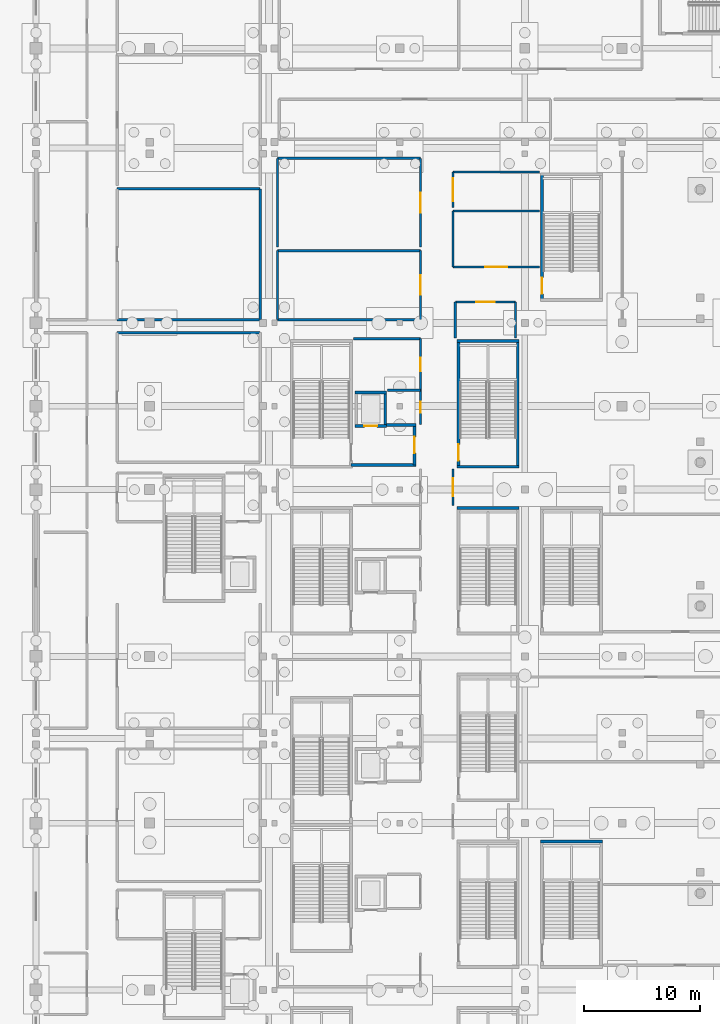
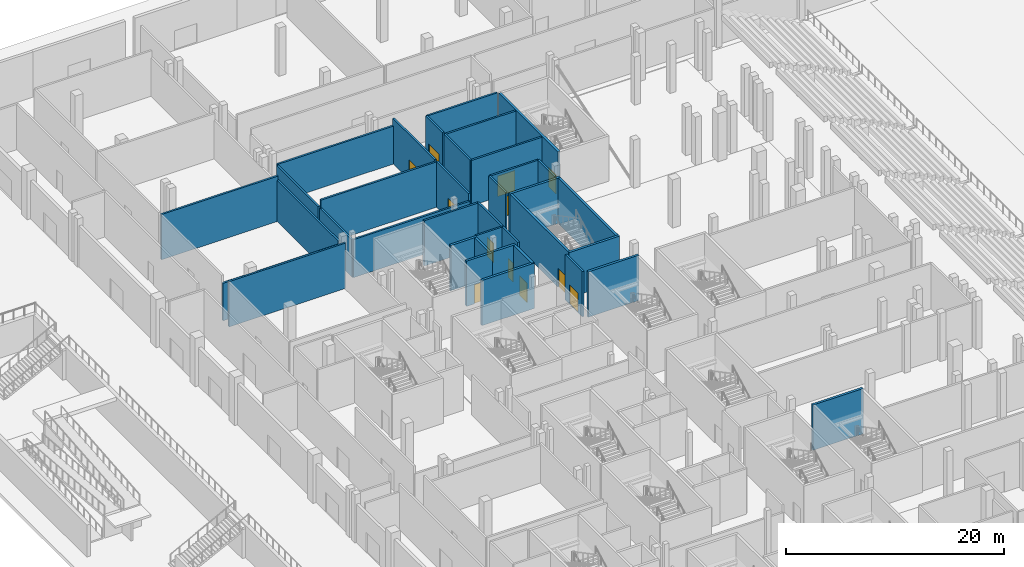
# One storey, part 38 of 89: 37 walls, 12 doors, 12 openings.
"""IFC4 building model written with IfcOpenShell, lengths in metres."""

from ifc_helpers import new_model, si_unit, direction, frame, frame_2d, origin, place, context, subcontext, project, spatial, rectangle, extrude, material, layer, layer_set, type_object, element, fill, save


model = new_model("IFC4")

# Units and contexts
model_context = context("Model", 3, precision=1e-05, world=origin(), true_north=direction((0.0, 1.0)))
body_context = subcontext(model_context, "Body", "Model", "MODEL_VIEW")
ifc_project = project(units=[si_unit("LENGTHUNIT", "METRE"), si_unit("AREAUNIT", "SQUARE_METRE"), si_unit("VOLUMEUNIT", "CUBIC_METRE"), si_unit("PLANEANGLEUNIT", "RADIAN"), si_unit("MASSUNIT", "GRAM", prefix="KILO")], contexts=[model_context])

# Site, building, storey
site_placement = place(None, origin())
site = spatial("IfcSite", under=ifc_project, at=site_placement, CompositionType="ELEMENT")
building_placement = place(site_placement, origin())
building = spatial("IfcBuilding", under=site, at=building_placement, Name="Koshinbarg Plaza Stadium", CompositionType="ELEMENT")
storey_placement = place(building_placement, origin())
storey = spatial("IfcBuildingStorey", under=building, at=storey_placement, Name="L00", CompositionType="ELEMENT", Elevation=0.0)

# Walls
ifc_material_1 = material(Name="Concrete C40/50", Category="concrete")
ifc_layer_1 = layer(ifc_material_1, 0.25)
ifc_layer_set_1 = layer_set([ifc_layer_1], Name="Concrete C40/50")
wall_type_1 = type_object("IfcWallType", Name="WL-CORE-250", PredefinedType="SHEAR", material=ifc_layer_set_1)
for number, where, z_axis, x_axis, name in (
    (1, (45.719970703125, 95.925048828125, 0.0), (0.0, 0.0, 1.0), (-1.0, 0.0, 0.0), "L00 vomitory stair shear wall VX05-far IWL-L00-0419"),
    (2, (40.35009765625, 99.47509765625, 0.0), (0.0, 0.0, 1.0), (1.0, 0.0, 0.0), "L00 vomitory stair shear wall VX06-near IWL-L00-0434"),
    (3, (45.719970703125, 110.324951171875, 0.0), (0.0, 0.0, 1.0), (-1.0, 0.0, 0.0), "L00 vomitory stair shear wall VX06-far IWL-L00-0435"),
):
    element("IfcWall", number, at=place(storey_placement, frame(where, z_axis=z_axis, x_axis=x_axis)), inside=storey, type_object=wall_type_1, Name=name, PredefinedType="SHEAR", context=body_context, shape_type="SweptSolid", body=[
        extrude(rectangle(XDim=5.369873046875, YDim=0.25, at=frame_2d((2.68505859375, 0.0))), origin(), (0.0, 0.0, 1.0), 5.080078125),
    ])

# Wall, opening, door
wall_1_placement = place(storey_placement, frame((40.47509765625, 99.47509765625, 0.0), z_axis=(0.0, 0.0, 1.0), x_axis=(0.0, 1.0, 0.0)))
wall_1 = element("IfcWall", 4, at=wall_1_placement, inside=storey, type_object=wall_type_1, Name="L00 vomitory stair shear wall VX06-left IWL-L00-0436", PredefinedType="SHEAR", context=body_context, shape_type="SweptSolid", body=[
    extrude(rectangle(XDim=10.849853515625, YDim=0.25, at=frame_2d((5.4248046875, 0.0))), origin(), (0.0, 0.0, 1.0), 5.080078125),
])
opening_1_placement = place(wall_1_placement, frame((0.52001953125, 0.0, 0.0)))
opening_1 = element("IfcOpeningElement", 5, at=opening_1_placement, cuts=wall_1, Name="Opening D-0171", PredefinedType="OPENING", context=body_context, shape_type="SweptSolid", body=[
    extrude(rectangle(XDim=1.39990234375, YDim=2.14990234375, at=frame_2d((0.699951171875, 1.074951171875))), frame((0.0, 0.135009765625, 0.0), z_axis=(0.0, -1.0, 0.0), x_axis=(1.0, 0.0, 0.0)), (0.0, 0.0, 1.0), 0.27001953125),
])
ifc_material_2 = material(Name="Painted galvanized steel fire door", Category="steel")
door_type_1 = type_object("IfcDoorType", Name="DR-STAIR-1400", OperationType="NOTDEFINED", PredefinedType="DOOR", material=ifc_material_2)
door_1_placement = place(opening_1_placement, origin())
door_1 = element("IfcDoor", 6, at=door_1_placement, inside=storey, type_object=door_type_1, Name="L00 vomitory exit stair door VX06", OperationType="SINGLE_SWING_LEFT", OverallHeight=2.14990234375, OverallWidth=1.39990234375, PredefinedType="DOOR", context=body_context, shape_type="SweptSolid", body=[
    extrude(rectangle(XDim=1.39990234375, YDim=2.14990234375, at=frame_2d((0.699951171875, 1.074951171875))), frame((0.0, 0.02490234375, 0.0), z_axis=(0.0, -1.0, 0.0), x_axis=(1.0, 0.0, 0.0)), (0.0, 0.0, 1.0), 0.050048828125),
])
fill(opening_1, door_1)

# Walls
wall_2_placement = place(storey_placement, frame((45.594970703125, 99.47509765625, 0.0), z_axis=(0.0, 0.0, 1.0), x_axis=(0.0, 1.0, 0.0)))
element("IfcWall", 7, at=wall_2_placement, inside=storey, type_object=wall_type_1, Name="L00 vomitory stair shear wall VX06-right IWL-L00-0437", PredefinedType="SHEAR", context=body_context, shape_type="SweptSolid", body=[
    extrude(rectangle(XDim=10.849853515625, YDim=0.25, at=frame_2d((5.4248046875, 0.0))), origin(), (0.0, 0.0, 1.0), 5.080078125),
])
wall_3_placement = place(storey_placement, frame((52.919921875, 67.125, 0.0), z_axis=(0.0, 0.0, 1.0), x_axis=(-1.0, 0.0, 0.0)))
element("IfcWall", 8, at=wall_3_placement, inside=storey, type_object=wall_type_1, Name="L00 vomitory stair shear wall VL02-far IWL-L00-0555", PredefinedType="SHEAR", context=body_context, shape_type="SweptSolid", body=[
    extrude(rectangle(XDim=5.369873046875, YDim=0.25, at=frame_2d((2.68505859375, 0.0))), origin(), (0.0, 0.0, 1.0), 5.080078125),
])

# Wall, opening, door
wall_4_placement = place(storey_placement, frame((47.675048828125, 113.875, 0.0), z_axis=(0.0, 0.0, 1.0), x_axis=(0.0, 1.0, 0.0)))
wall_4 = element("IfcWall", 9, at=wall_4_placement, inside=storey, type_object=wall_type_1, Name="L00 vomitory stair shear wall VL04-left IWL-L00-0572", PredefinedType="SHEAR", context=body_context, shape_type="SweptSolid", body=[
    extrude(rectangle(XDim=10.85009765625, YDim=0.25, at=frame_2d((5.425048828125, 0.0))), origin(), (0.0, 0.0, 1.0), 5.080078125),
])
opening_2_placement = place(wall_4_placement, frame((0.52001953125, 0.0, 0.0)))
opening_2 = element("IfcOpeningElement", 10, at=opening_2_placement, cuts=wall_4, Name="Opening D-0205", PredefinedType="OPENING", context=body_context, shape_type="SweptSolid", body=[
    extrude(rectangle(XDim=1.39990234375, YDim=2.14990234375, at=frame_2d((0.699951171875, 1.074951171875))), frame((0.0, 0.135009765625, 0.0), z_axis=(0.0, -1.0, 0.0), x_axis=(1.0, 0.0, 0.0)), (0.0, 0.0, 1.0), 0.27001953125),
])
door_2_placement = place(opening_2_placement, origin())
door_2 = element("IfcDoor", 11, at=door_2_placement, inside=storey, type_object=door_type_1, Name="L00 vomitory exit stair door VL04", OperationType="SINGLE_SWING_LEFT", OverallHeight=2.14990234375, OverallWidth=1.39990234375, PredefinedType="DOOR", context=body_context, shape_type="SweptSolid", body=[
    extrude(rectangle(XDim=1.39990234375, YDim=2.14990234375, at=frame_2d((0.699951171875, 1.074951171875))), frame((0.0, 0.02490234375, 0.0), z_axis=(0.0, -1.0, 0.0), x_axis=(1.0, 0.0, 0.0)), (0.0, 0.0, 1.0), 0.050048828125),
])
fill(opening_2, door_2)

wall_5_placement = place(storey_placement, frame((31.52490234375, 103.0, 0.0), z_axis=(0.0, 0.0, 1.0), x_axis=(1.0, 0.0, 0.0)))
wall_5 = element("IfcWall", 12, at=wall_5_placement, inside=storey, type_object=wall_type_1, Name="L00 lift shaft shear wall FL04-S IWL-L00-0813", PredefinedType="SHEAR", context=body_context, shape_type="SweptSolid", body=[
    extrude(rectangle(XDim=2.75, YDim=0.25, at=frame_2d((1.375, 0.0))), origin(), (0.0, 0.0, 1.0), 5.080078125),
])
opening_3_placement = place(wall_5_placement, frame((0.824951171875, 0.0, 0.0)))
opening_3 = element("IfcOpeningElement", 13, at=opening_3_placement, cuts=wall_5, Name="Opening D-0271", PredefinedType="OPENING", context=body_context, shape_type="SweptSolid", body=[
    extrude(rectangle(XDim=1.10009765625, YDim=2.14990234375, at=frame_2d((0.550048828125, 1.074951171875))), frame((0.0, 0.135009765625, 0.0), z_axis=(0.0, -1.0, 0.0), x_axis=(1.0, 0.0, 0.0)), (0.0, 0.0, 1.0), 0.27001953125),
])
ifc_material_3 = material(Name="Brushed stainless steel sliding lift landing door", Category="steel")
door_type_2 = type_object("IfcDoorType", Name="DR-LIFT-1100", OperationType="NOTDEFINED", PredefinedType="DOOR", material=ifc_material_3)
door_3_placement = place(opening_3_placement, origin())
door_3 = element("IfcDoor", 14, at=door_3_placement, inside=storey, type_object=door_type_2, Name="L00 lift landing door FL04", OperationType="SLIDING_TO_LEFT", OverallHeight=2.14990234375, OverallWidth=1.10009765625, PredefinedType="DOOR", context=body_context, shape_type="SweptSolid", body=[
    extrude(rectangle(XDim=1.10009765625, YDim=2.14990234375, at=frame_2d((0.550048828125, 1.074951171875))), frame((0.0, 0.02490234375, 0.0), z_axis=(0.0, -1.0, 0.0), x_axis=(1.0, 0.0, 0.0)), (0.0, 0.0, 1.0), 0.050048828125),
])
fill(opening_3, door_3)

# Walls
wall_6_placement = place(storey_placement, frame((34.27490234375, 105.89990234375, 0.0), z_axis=(0.0, 0.0, 1.0), x_axis=(-1.0, 0.0, 0.0)))
element("IfcWall", 15, at=wall_6_placement, inside=storey, type_object=wall_type_1, Name="L00 lift shaft shear wall FL04-N IWL-L00-0814", PredefinedType="SHEAR", context=body_context, shape_type="SweptSolid", body=[
    extrude(rectangle(XDim=2.75, YDim=0.25, at=frame_2d((1.375, 0.0))), origin(), (0.0, 0.0, 1.0), 5.080078125),
])
wall_7_placement = place(storey_placement, frame((34.14990234375, 103.0, 0.0), z_axis=(0.0, 0.0, 1.0), x_axis=(0.0, 1.0, 0.0)))
element("IfcWall", 16, at=wall_7_placement, inside=storey, type_object=wall_type_1, Name="L00 lift shaft shear wall FL04-E IWL-L00-0816", PredefinedType="SHEAR", context=body_context, shape_type="SweptSolid", body=[
    extrude(rectangle(XDim=2.89990234375, YDim=0.25, at=frame_2d((1.449951171875, 0.0))), origin(), (0.0, 0.0, 1.0), 5.080078125),
])

# Wall, opening, door
wall_8_placement = place(storey_placement, frame((36.675048828125, 99.625, 0.0), z_axis=(0.0, 0.0, 1.0), x_axis=(0.0, 1.0, 0.0)))
wall_8 = element("IfcWall", 17, at=wall_8_placement, inside=storey, type_object=wall_type_1, Name="L00 firefighting lobby wall C06-E IWL-L00-0817", PredefinedType="SHEAR", context=body_context, shape_type="SweptSolid", body=[
    extrude(rectangle(XDim=3.449951171875, YDim=0.25, at=frame_2d((1.72509765625, 0.0))), origin(), (0.0, 0.0, 1.0), 5.080078125),
])
opening_4_placement = place(wall_8_placement, frame((1.02490234375, 0.0, 0.0)))
opening_4 = element("IfcOpeningElement", 18, at=opening_4_placement, cuts=wall_8, Name="Opening D-0272", PredefinedType="OPENING", context=body_context, shape_type="SweptSolid", body=[
    extrude(rectangle(XDim=1.39990234375, YDim=2.14990234375, at=frame_2d((0.699951171875, 1.074951171875))), frame((0.0, 0.135009765625, 0.0), z_axis=(0.0, -1.0, 0.0), x_axis=(1.0, 0.0, 0.0)), (0.0, 0.0, 1.0), 0.27001953125),
])
ifc_material_4 = material(Name="Smoke-sealed steel firefighting lobby door", Category="steel")
door_type_3 = type_object("IfcDoorType", Name="DR-FFLOB-1400", OperationType="NOTDEFINED", PredefinedType="DOOR", material=ifc_material_4)
door_4_placement = place(opening_4_placement, origin())
door_4 = element("IfcDoor", 19, at=door_4_placement, inside=storey, type_object=door_type_3, Name="L00 firefighting lobby fire door C06", OperationType="DOUBLE_DOOR_SINGLE_SWING", OverallHeight=2.14990234375, OverallWidth=1.39990234375, PredefinedType="DOOR", context=body_context, shape_type="SweptSolid", body=[
    extrude(rectangle(XDim=1.39990234375, YDim=2.14990234375, at=frame_2d((0.699951171875, 1.074951171875))), frame((0.0, 0.02490234375, 0.0), z_axis=(0.0, -1.0, 0.0), x_axis=(1.0, 0.0, 0.0)), (0.0, 0.0, 1.0), 0.050048828125),
])
fill(opening_4, door_4)

# Walls
wall_9_placement = place(storey_placement, frame((34.27490234375, 103.074951171875, 0.0), z_axis=(0.0, 0.0, 1.0), x_axis=(1.0, 0.0, 0.0)))
element("IfcWall", 20, at=wall_9_placement, inside=storey, type_object=wall_type_1, Name="L00 firefighting lobby wall C06-NE IWL-L00-0818", PredefinedType="SHEAR", context=body_context, shape_type="SweptSolid", body=[
    extrude(rectangle(XDim=2.525146484375, YDim=0.25, at=frame_2d((1.2626953125, 0.0))), origin(), (0.0, 0.0, 1.0), 5.080078125),
])
wall_10_placement = place(storey_placement, frame((31.199951171875, 99.625, 0.0), z_axis=(0.0, 0.0, 1.0), x_axis=(1.0, 0.0, 0.0)))
element("IfcWall", 21, at=wall_10_placement, inside=storey, type_object=wall_type_1, Name="L00 firefighting lobby wall C06-S IWL-L00-0819", PredefinedType="SHEAR", context=body_context, shape_type="SweptSolid", body=[
    extrude(rectangle(XDim=5.60009765625, YDim=0.25, at=frame_2d((2.800048828125, 0.0))), origin(), (0.0, 0.0, 1.0), 5.080078125),
])
ifc_material_5 = material(Name="Autoclaved aerated blockwork fire partition", Category="masonry")
ifc_layer_2 = layer(ifc_material_5, 0.199951171875)
ifc_layer_set_2 = layer_set([ifc_layer_2], Name="Autoclaved aerated blockwork fire partition")
wall_type_2 = type_object("IfcWallType", Name="WL-PART-200", PredefinedType="PARTITIONING", material=ifc_layer_set_2)
wall_11_placement = place(storey_placement, frame((45.39990234375, 110.60009765625, 0.0), z_axis=(0.0, 0.0, 1.0), x_axis=(0.0, 1.0, 0.0)))
element("IfcWall", 22, at=wall_11_placement, inside=storey, type_object=wall_type_2, Name="L00 interior partition L00-66-east IWL-L00-1053", PredefinedType="PARTITIONING", context=body_context, shape_type="SweptSolid", body=[
    extrude(rectangle(XDim=3.099853515625, YDim=0.199951171875, at=frame_2d((1.5498046875, 0.0))), origin(), (0.0, 0.0, 1.0), 5.080078125),
])

# Wall, opening, door
wall_12_placement = place(storey_placement, frame((45.39990234375, 113.699951171875, 0.0), z_axis=(0.0, 0.0, 1.0), x_axis=(-1.0, 0.0, 0.0)))
wall_12 = element("IfcWall", 23, at=wall_12_placement, inside=storey, type_object=wall_type_2, Name="L00 interior partition L00-66-north IWL-L00-1054", PredefinedType="PARTITIONING", context=body_context, shape_type="SweptSolid", body=[
    extrude(rectangle(XDim=5.199951171875, YDim=0.199951171875, at=frame_2d((2.60009765625, 0.0))), origin(), (0.0, 0.0, 1.0), 5.080078125),
])
opening_5_placement = place(wall_12_placement, frame((1.800048828125, 0.0, 0.0)))
opening_5 = element("IfcOpeningElement", 24, at=opening_5_placement, cuts=wall_12, Name="Opening D-0335", PredefinedType="OPENING", context=body_context, shape_type="SweptSolid", body=[
    extrude(rectangle(XDim=1.60009765625, YDim=2.199951171875, at=frame_2d((0.800048828125, 1.10009765625))), frame((0.0, 0.10986328125, 0.0), z_axis=(0.0, -1.0, 0.0), x_axis=(1.0, 0.0, 0.0)), (0.0, 0.0, 1.0), 0.219970703125),
])
ifc_material_6 = material(Name="Double acoustic steel plant fire door", Category="steel")
door_type_4 = type_object("IfcDoorType", Name="DR-PLANT-1600", OperationType="NOTDEFINED", PredefinedType="DOOR", material=ifc_material_6)
door_5_placement = place(opening_5_placement, origin())
door_5 = element("IfcDoor", 25, at=door_5_placement, inside=storey, type_object=door_type_4, Name="L00 Chiller and Heating Plant door D-0335", OperationType="DOUBLE_DOOR_SINGLE_SWING", OverallHeight=2.199951171875, OverallWidth=1.60009765625, PredefinedType="DOOR", context=body_context, shape_type="SweptSolid", body=[
    extrude(rectangle(XDim=1.60009765625, YDim=2.199951171875, at=frame_2d((0.800048828125, 1.10009765625))), frame((0.0, 0.02490234375, 0.0), z_axis=(0.0, -1.0, 0.0), x_axis=(1.0, 0.0, 0.0)), (0.0, 0.0, 1.0), 0.050048828125),
])
fill(opening_5, door_5)

# Wall
wall_13_placement = place(storey_placement, frame((40.199951171875, 113.699951171875, 0.0), z_axis=(0.0, 0.0, 1.0), x_axis=(0.0, -1.0, 0.0)))
element("IfcWall", 26, at=wall_13_placement, inside=storey, type_object=wall_type_2, Name="L00 interior partition L00-66-west IWL-L00-1055", PredefinedType="PARTITIONING", context=body_context, shape_type="SweptSolid", body=[
    extrude(rectangle(XDim=3.099853515625, YDim=0.199951171875, at=frame_2d((1.5498046875, 0.0))), origin(), (0.0, 0.0, 1.0), 5.080078125),
])

# Wall, opening, door
wall_14_placement = place(storey_placement, frame((37.199951171875, 106.080078125, 0.0), z_axis=(0.0, 0.0, 1.0), x_axis=(0.0, 1.0, 0.0)))
wall_14 = element("IfcWall", 27, at=wall_14_placement, inside=storey, type_object=wall_type_2, Name="L00 interior partition L00-87-east IWL-L00-1108", PredefinedType="PARTITIONING", context=body_context, shape_type="SweptSolid", body=[
    extrude(rectangle(XDim=4.449951171875, YDim=0.199951171875, at=frame_2d((2.22509765625, 0.0))), origin(), (0.0, 0.0, 1.0), 5.080078125),
])
opening_6_placement = place(wall_14_placement, frame((1.625, 0.0, 0.0)))
opening_6 = element("IfcOpeningElement", 28, at=opening_6_placement, cuts=wall_14, Name="Opening D-0356", PredefinedType="OPENING", context=body_context, shape_type="SweptSolid", body=[
    extrude(rectangle(XDim=1.199951171875, YDim=2.14990234375, at=frame_2d((0.60009765625, 1.074951171875))), frame((0.0, 0.10986328125, 0.0), z_axis=(0.0, -1.0, 0.0), x_axis=(1.0, 0.0, 0.0)), (0.0, 0.0, 1.0), 0.219970703125),
])
ifc_material_7 = material(Name="Solid-core hardwood leaf in painted steel frame", Category="steel")
door_type_5 = type_object("IfcDoorType", Name="DR-INT-1200x2150", OperationType="NOTDEFINED", PredefinedType="DOOR", material=ifc_material_7)
door_6_placement = place(opening_6_placement, origin())
door_6 = element("IfcDoor", 29, at=door_6_placement, inside=storey, type_object=door_type_5, Name="L00 Main Entrance Concourse door D-0356", OperationType="SINGLE_SWING_RIGHT", OverallHeight=2.14990234375, OverallWidth=1.199951171875, PredefinedType="DOOR", context=body_context, shape_type="SweptSolid", body=[
    extrude(rectangle(XDim=1.199951171875, YDim=2.14990234375, at=frame_2d((0.60009765625, 1.074951171875))), frame((0.0, 0.02490234375, 0.0), z_axis=(0.0, -1.0, 0.0), x_axis=(1.0, 0.0, 0.0)), (0.0, 0.0, 1.0), 0.050048828125),
])
fill(opening_6, door_6)

# Wall
wall_15_placement = place(storey_placement, frame((37.199951171875, 110.530029296875, 0.0), z_axis=(0.0, 0.0, 1.0), x_axis=(-1.0, 0.0, 0.0)))
element("IfcWall", 30, at=wall_15_placement, inside=storey, type_object=wall_type_2, Name="L00 interior partition L00-87-north IWL-L00-1109", PredefinedType="PARTITIONING", context=body_context, shape_type="SweptSolid", body=[
    extrude(rectangle(XDim=5.800048828125, YDim=0.199951171875, at=frame_2d((2.89990234375, 0.0))), origin(), (0.0, 0.0, 1.0), 5.080078125),
])

# Wall, opening, door
wall_16_placement = place(storey_placement, frame((37.199951171875, 103.1298828125, 0.0), z_axis=(0.0, 0.0, 1.0), x_axis=(0.0, 1.0, 0.0)))
wall_16 = element("IfcWall", 31, at=wall_16_placement, inside=storey, type_object=wall_type_2, Name="L00 interior partition L00-88-east IWL-L00-1110", PredefinedType="PARTITIONING", context=body_context, shape_type="SweptSolid", body=[
    extrude(rectangle(XDim=2.9501953125, YDim=0.199951171875, at=frame_2d((1.47509765625, 0.0))), origin(), (0.0, 0.0, 1.0), 5.080078125),
])
opening_7_placement = place(wall_16_placement, frame((1.014892578125, 0.0, 0.0)))
opening_7 = element("IfcOpeningElement", 32, at=opening_7_placement, cuts=wall_16, Name="Opening D-0357", PredefinedType="OPENING", context=body_context, shape_type="SweptSolid", body=[
    extrude(rectangle(XDim=0.919921875, YDim=2.10009765625, at=frame_2d((0.4599609375, 1.050048828125))), frame((0.0, 0.10986328125, 0.0), z_axis=(0.0, -1.0, 0.0), x_axis=(1.0, 0.0, 0.0)), (0.0, 0.0, 1.0), 0.219970703125),
])
ifc_material_8 = material(Name="Solid-core oak veneer acoustic door")
door_type_6 = type_object("IfcDoorType", Name="DR-INT-0920x2100", OperationType="NOTDEFINED", PredefinedType="DOOR", material=ifc_material_8)
door_7_placement = place(opening_7_placement, origin())
door_7 = element("IfcDoor", 33, at=door_7_placement, inside=storey, type_object=door_type_6, Name="L00 VIP Reception Foyer door D-0357", OperationType="SINGLE_SWING_LEFT", OverallHeight=2.10009765625, OverallWidth=0.919921875, PredefinedType="DOOR", context=body_context, shape_type="SweptSolid", body=[
    extrude(rectangle(XDim=0.919921875, YDim=2.10009765625, at=frame_2d((0.4599609375, 1.050048828125))), frame((0.0, 0.02490234375, 0.0), z_axis=(0.0, -1.0, 0.0), x_axis=(1.0, 0.0, 0.0)), (0.0, 0.0, 1.0), 0.050048828125),
])
fill(opening_7, door_7)

# Wall
wall_17_placement = place(storey_placement, frame((37.199951171875, 106.080078125, 0.0), z_axis=(0.0, 0.0, 1.0), x_axis=(-1.0, 0.0, 0.0)))
element("IfcWall", 34, at=wall_17_placement, inside=storey, type_object=wall_type_2, Name="L00 interior partition L00-88-north IWL-L00-1111", PredefinedType="PARTITIONING", context=body_context, shape_type="SweptSolid", body=[
    extrude(rectangle(XDim=2.869873046875, YDim=0.199951171875, at=frame_2d((1.43505859375, 0.0))), origin(), (0.0, 0.0, 1.0), 5.080078125),
])

# Wall, opening, door
wall_18_placement = place(storey_placement, frame((40.0, 99.27001953125, 0.0), z_axis=(0.0, 0.0, 1.0), x_axis=(0.0, -1.0, 0.0)))
wall_18 = element("IfcWall", 35, at=wall_18_placement, inside=storey, type_object=wall_type_2, Name="L00 interior partition L00-90-west IWL-L00-1116", PredefinedType="PARTITIONING", context=body_context, shape_type="SweptSolid", body=[
    extrude(rectangle(XDim=3.14013671875, YDim=0.199951171875, at=frame_2d((1.570068359375, 0.0))), origin(), (0.0, 0.0, 1.0), 5.080078125),
])
opening_8_placement = place(wall_18_placement, frame((0.794921875, 0.0, 0.0)))
opening_8 = element("IfcOpeningElement", 36, at=opening_8_placement, cuts=wall_18, Name="Opening D-0359", PredefinedType="OPENING", context=body_context, shape_type="SweptSolid", body=[
    extrude(rectangle(XDim=1.550048828125, YDim=2.199951171875, at=frame_2d((0.77490234375, 1.10009765625))), frame((0.0, 0.10986328125, 0.0), z_axis=(0.0, -1.0, 0.0), x_axis=(1.0, 0.0, 0.0)), (0.0, 0.0, 1.0), 0.219970703125),
])
ifc_material_9 = material(Name="Toughened laminated glass in aluminium frame", Category="aluminium")
door_type_7 = type_object("IfcDoorType", Name="DR-INT-1550x2200", OperationType="NOTDEFINED", PredefinedType="DOOR", material=ifc_material_9)
door_8_placement = place(opening_8_placement, origin())
door_8 = element("IfcDoor", 37, at=door_8_placement, inside=storey, type_object=door_type_7, Name="L00 Main Entrance Concourse door D-0359", OperationType="DOUBLE_DOOR_SINGLE_SWING", OverallHeight=2.199951171875, OverallWidth=1.550048828125, PredefinedType="DOOR", context=body_context, shape_type="SweptSolid", body=[
    extrude(rectangle(XDim=1.550048828125, YDim=2.199951171875, at=frame_2d((0.77490234375, 1.10009765625))), frame((0.0, 0.02490234375, 0.0), z_axis=(0.0, -1.0, 0.0), x_axis=(1.0, 0.0, 0.0)), (0.0, 0.0, 1.0), 0.050048828125),
])
fill(opening_8, door_8)

# Wall
wall_19_placement = place(storey_placement, frame((24.844970703125, 112.169921875, 0.0), z_axis=(0.0, 0.0, 1.0), x_axis=(1.0, 0.0, 0.0)))
element("IfcWall", 38, at=wall_19_placement, inside=storey, type_object=wall_type_2, Name="L00 interior partition L00-91-south IWL-L00-1117", PredefinedType="PARTITIONING", context=body_context, shape_type="SweptSolid", body=[
    extrude(rectangle(XDim=12.35498046875, YDim=0.199951171875, at=frame_2d((6.177490234375, 0.0))), origin(), (0.0, 0.0, 1.0), 4.260009765625),
])

# Wall, opening, door
wall_20_placement = place(storey_placement, frame((37.199951171875, 112.169921875, 0.0), z_axis=(0.0, 0.0, 1.0), x_axis=(0.0, 1.0, 0.0)))
wall_20 = element("IfcWall", 39, at=wall_20_placement, inside=storey, type_object=wall_type_2, Name="L00 interior partition L00-91-east IWL-L00-1118", PredefinedType="PARTITIONING", context=body_context, shape_type="SweptSolid", body=[
    extrude(rectangle(XDim=5.96337890625, YDim=0.199951171875, at=frame_2d((2.981689453125, 0.0))), origin(), (0.0, 0.0, 1.0), 5.080078125),
])
opening_9_placement = place(wall_20_placement, frame((2.1416015625, 0.0, 0.0)))
opening_9 = element("IfcOpeningElement", 40, at=opening_9_placement, cuts=wall_20, Name="Opening D-0360", PredefinedType="OPENING", context=body_context, shape_type="SweptSolid", body=[
    extrude(rectangle(XDim=1.679931640625, YDim=2.25, at=frame_2d((0.83984375, 1.125))), frame((0.0, 0.10986328125, 0.0), z_axis=(0.0, -1.0, 0.0), x_axis=(1.0, 0.0, 0.0)), (0.0, 0.0, 1.0), 0.219970703125),
])
ifc_material_10 = material(Name="Powder-coated aluminium double glazed door", Category="aluminium")
door_type_8 = type_object("IfcDoorType", Name="DR-INT-1680x2250", OperationType="NOTDEFINED", PredefinedType="DOOR", material=ifc_material_10)
door_9_placement = place(opening_9_placement, origin())
door_9 = element("IfcDoor", 41, at=door_9_placement, inside=storey, type_object=door_type_8, Name="L00 Main Entrance Concourse door D-0360", OperationType="DOUBLE_DOOR_SINGLE_SWING", OverallHeight=2.25, OverallWidth=1.679931640625, PredefinedType="DOOR", context=body_context, shape_type="SweptSolid", body=[
    extrude(rectangle(XDim=1.679931640625, YDim=2.25, at=frame_2d((0.83984375, 1.125))), frame((0.0, 0.02490234375, 0.0), z_axis=(0.0, -1.0, 0.0), x_axis=(1.0, 0.0, 0.0)), (0.0, 0.0, 1.0), 0.050048828125),
])
fill(opening_9, door_9)

# Walls
wall_21_placement = place(storey_placement, frame((37.199951171875, 118.13330078125, 0.0), z_axis=(0.0, 0.0, 1.0), x_axis=(-1.0, 0.0, 0.0)))
element("IfcWall", 42, at=wall_21_placement, inside=storey, type_object=wall_type_2, Name="L00 interior partition L00-91-north IWL-L00-1119", PredefinedType="PARTITIONING", context=body_context, shape_type="SweptSolid", body=[
    extrude(rectangle(XDim=12.35498046875, YDim=0.199951171875, at=frame_2d((6.177490234375, 0.0))), origin(), (0.0, 0.0, 1.0), 5.080078125),
])
wall_22_placement = place(storey_placement, frame((24.844970703125, 118.13330078125, 0.0), z_axis=(0.0, 0.0, 1.0), x_axis=(0.0, -1.0, 0.0)))
element("IfcWall", 43, at=wall_22_placement, inside=storey, type_object=wall_type_2, Name="L00 interior partition L00-91-west IWL-L00-1120", PredefinedType="PARTITIONING", context=body_context, shape_type="SweptSolid", body=[
    extrude(rectangle(XDim=5.96337890625, YDim=0.199951171875, at=frame_2d((2.981689453125, 0.0))), origin(), (0.0, 0.0, 1.0), 4.159912109375),
])

# Wall, opening, door
wall_23_placement = place(storey_placement, frame((37.199951171875, 118.433349609375, 0.0), z_axis=(0.0, 0.0, 1.0), x_axis=(0.0, 1.0, 0.0)))
wall_23 = element("IfcWall", 44, at=wall_23_placement, inside=storey, type_object=wall_type_2, Name="L00 interior partition L00-92-east IWL-L00-1121", PredefinedType="PARTITIONING", context=body_context, shape_type="SweptSolid", body=[
    extrude(rectangle(XDim=7.671630859375, YDim=0.199951171875, at=frame_2d((3.8359375, 0.0))), origin(), (0.0, 0.0, 1.0), 5.080078125),
])
opening_10_placement = place(wall_23_placement, frame((2.955810546875, 0.0, 0.0)))
opening_10 = element("IfcOpeningElement", 45, at=opening_10_placement, cuts=wall_23, Name="Opening D-0361", PredefinedType="OPENING", context=body_context, shape_type="SweptSolid", body=[
    extrude(rectangle(XDim=1.760009765625, YDim=2.25, at=frame_2d((0.8798828125, 1.125))), frame((0.0, 0.10986328125, 0.0), z_axis=(0.0, -1.0, 0.0), x_axis=(1.0, 0.0, 0.0)), (0.0, 0.0, 1.0), 0.219970703125),
])
ifc_material_11 = material(Name="Solid-core oak veneer double swing door")
door_type_9 = type_object("IfcDoorType", Name="DR-INT-1760x2250", OperationType="NOTDEFINED", PredefinedType="DOOR", material=ifc_material_11)
door_10_placement = place(opening_10_placement, origin())
door_10 = element("IfcDoor", 46, at=door_10_placement, inside=storey, type_object=door_type_9, Name="L00 VIP Reception Foyer door D-0361", OperationType="DOUBLE_DOOR_SINGLE_SWING", OverallHeight=2.25, OverallWidth=1.760009765625, PredefinedType="DOOR", context=body_context, shape_type="SweptSolid", body=[
    extrude(rectangle(XDim=1.760009765625, YDim=2.25, at=frame_2d((0.8798828125, 1.125))), frame((0.0, 0.02490234375, 0.0), z_axis=(0.0, -1.0, 0.0), x_axis=(1.0, 0.0, 0.0)), (0.0, 0.0, 1.0), 0.050048828125),
])
fill(opening_10, door_10)

# Walls
wall_24_placement = place(storey_placement, frame((37.199951171875, 126.10498046875, 0.0), z_axis=(0.0, 0.0, 1.0), x_axis=(-1.0, 0.0, 0.0)))
element("IfcWall", 47, at=wall_24_placement, inside=storey, type_object=wall_type_2, Name="L00 interior partition L00-92-north IWL-L00-1122", PredefinedType="PARTITIONING", context=body_context, shape_type="SweptSolid", body=[
    extrude(rectangle(XDim=12.35498046875, YDim=0.199951171875, at=frame_2d((6.177490234375, 0.0))), origin(), (0.0, 0.0, 1.0), 4.260009765625),
])
wall_25_placement = place(storey_placement, frame((24.844970703125, 126.10498046875, 0.0), z_axis=(0.0, 0.0, 1.0), x_axis=(0.0, -1.0, 0.0)))
element("IfcWall", 48, at=wall_25_placement, inside=storey, type_object=wall_type_2, Name="L00 interior partition L00-92-west IWL-L00-1123", PredefinedType="PARTITIONING", context=body_context, shape_type="SweptSolid", body=[
    extrude(rectangle(XDim=7.671630859375, YDim=0.199951171875, at=frame_2d((3.8359375, 0.0))), origin(), (0.0, 0.0, 1.0), 4.159912109375),
])

# Wall, opening, door
wall_26_placement = place(storey_placement, frame((40.0, 116.72509765625, 0.0), z_axis=(0.0, 0.0, 1.0), x_axis=(1.0, 0.0, 0.0)))
wall_26 = element("IfcWall", 49, at=wall_26_placement, inside=storey, type_object=wall_type_2, Name="L00 interior partition L00-93-south IWL-L00-1124", PredefinedType="PARTITIONING", context=body_context, shape_type="SweptSolid", body=[
    extrude(rectangle(XDim=7.469970703125, YDim=0.199951171875, at=frame_2d((3.73486328125, 0.0))), origin(), (0.0, 0.0, 1.0), 5.080078125),
])
opening_11_placement = place(wall_26_placement, frame((2.804931640625, 0.0, 0.0)))
opening_11 = element("IfcOpeningElement", 50, at=opening_11_placement, cuts=wall_26, Name="Opening D-0362", PredefinedType="OPENING", context=body_context, shape_type="SweptSolid", body=[
    extrude(rectangle(XDim=1.860107421875, YDim=2.300048828125, at=frame_2d((0.93017578125, 1.14990234375))), frame((0.0, 0.10986328125, 0.0), z_axis=(0.0, -1.0, 0.0), x_axis=(1.0, 0.0, 0.0)), (0.0, 0.0, 1.0), 0.219970703125),
])
ifc_material_12 = material(Name="Acoustic solid-core walnut veneer fire door")
door_type_10 = type_object("IfcDoorType", Name="DR-INT-1860x2300", OperationType="NOTDEFINED", PredefinedType="DOOR", material=ifc_material_12)
door_11_placement = place(opening_11_placement, origin())
door_11 = element("IfcDoor", 51, at=door_11_placement, inside=storey, type_object=door_type_10, Name="L00 Match Officials Suite door D-0362", OperationType="DOUBLE_DOOR_SINGLE_SWING", OverallHeight=2.300048828125, OverallWidth=1.860107421875, PredefinedType="DOOR", context=body_context, shape_type="SweptSolid", body=[
    extrude(rectangle(XDim=1.860107421875, YDim=2.300048828125, at=frame_2d((0.93017578125, 1.14990234375))), frame((0.0, 0.02490234375, 0.0), z_axis=(0.0, -1.0, 0.0), x_axis=(1.0, 0.0, 0.0)), (0.0, 0.0, 1.0), 0.050048828125),
])
fill(opening_11, door_11)

# Walls
wall_27_placement = place(storey_placement, frame((47.469970703125, 121.5498046875, 0.0), z_axis=(0.0, 0.0, 1.0), x_axis=(-1.0, 0.0, 0.0)))
element("IfcWall", 52, at=wall_27_placement, inside=storey, type_object=wall_type_2, Name="L00 interior partition L00-93-north IWL-L00-1125", PredefinedType="PARTITIONING", context=body_context, shape_type="SweptSolid", body=[
    extrude(rectangle(XDim=7.469970703125, YDim=0.199951171875, at=frame_2d((3.73486328125, 0.0))), origin(), (0.0, 0.0, 1.0), 5.080078125),
])
wall_28_placement = place(storey_placement, frame((40.0, 121.5498046875, 0.0), z_axis=(0.0, 0.0, 1.0), x_axis=(0.0, -1.0, 0.0)))
element("IfcWall", 53, at=wall_28_placement, inside=storey, type_object=wall_type_2, Name="L00 interior partition L00-93-west IWL-L00-1126", PredefinedType="PARTITIONING", context=body_context, shape_type="SweptSolid", body=[
    extrude(rectangle(XDim=4.82470703125, YDim=0.199951171875, at=frame_2d((2.412353515625, 0.0))), origin(), (0.0, 0.0, 1.0), 5.080078125),
])
wall_29_placement = place(storey_placement, frame((47.469970703125, 124.929931640625, 0.0), z_axis=(0.0, 0.0, 1.0), x_axis=(-1.0, 0.0, 0.0)))
element("IfcWall", 54, at=wall_29_placement, inside=storey, type_object=wall_type_2, Name="L00 interior partition L00-94-north IWL-L00-1127", PredefinedType="PARTITIONING", context=body_context, shape_type="SweptSolid", body=[
    extrude(rectangle(XDim=7.469970703125, YDim=0.199951171875, at=frame_2d((3.73486328125, 0.0))), origin(), (0.0, 0.0, 1.0), 5.080078125),
])

# Wall, opening, door
wall_30_placement = place(storey_placement, frame((40.0, 124.929931640625, 0.0), z_axis=(0.0, 0.0, 1.0), x_axis=(0.0, -1.0, 0.0)))
wall_30 = element("IfcWall", 55, at=wall_30_placement, inside=storey, type_object=wall_type_2, Name="L00 interior partition L00-94-west IWL-L00-1128", PredefinedType="PARTITIONING", context=body_context, shape_type="SweptSolid", body=[
    extrude(rectangle(XDim=3.080078125, YDim=0.199951171875, at=frame_2d((1.5400390625, 0.0))), origin(), (0.0, 0.0, 1.0), 5.080078125),
])
opening_12_placement = place(wall_30_placement, frame((0.56005859375, 0.0, 0.0)))
opening_12 = element("IfcOpeningElement", 56, at=opening_12_placement, cuts=wall_30, Name="Opening D-0363", PredefinedType="OPENING", context=body_context, shape_type="SweptSolid", body=[
    extrude(rectangle(XDim=1.9599609375, YDim=2.300048828125, at=frame_2d((0.97998046875, 1.14990234375))), frame((0.0, 0.10986328125, 0.0), z_axis=(0.0, -1.0, 0.0), x_axis=(1.0, 0.0, 0.0)), (0.0, 0.0, 1.0), 0.219970703125),
])
ifc_material_13 = material(Name="Bronze-anodised aluminium glazed double door", Category="aluminium")
door_type_11 = type_object("IfcDoorType", Name="DR-INT-1960x2300", OperationType="NOTDEFINED", PredefinedType="DOOR", material=ifc_material_13)
door_12_placement = place(opening_12_placement, origin())
door_12 = element("IfcDoor", 57, at=door_12_placement, inside=storey, type_object=door_type_11, Name="L00 Medical and Doping Control Room door D-0363", OperationType="DOUBLE_DOOR_SINGLE_SWING", OverallHeight=2.300048828125, OverallWidth=1.9599609375, PredefinedType="DOOR", context=body_context, shape_type="SweptSolid", body=[
    extrude(rectangle(XDim=1.9599609375, YDim=2.300048828125, at=frame_2d((0.97998046875, 1.14990234375))), frame((0.0, 0.02490234375, 0.0), z_axis=(0.0, -1.0, 0.0), x_axis=(1.0, 0.0, 0.0)), (0.0, 0.0, 1.0), 0.050048828125),
])
fill(opening_12, door_12)

# Walls
wall_31_placement = place(storey_placement, frame((23.35498046875, 111.050048828125, 0.0), z_axis=(0.0, 0.0, 1.0), x_axis=(-1.0, 0.0, 0.0)))
element("IfcWall", 58, at=wall_31_placement, inside=storey, type_object=wall_type_2, Name="L00 interior partition L00-152-north IWL-L00-1285", PredefinedType="PARTITIONING", context=body_context, shape_type="SweptSolid", body=[
    extrude(rectangle(XDim=12.35498046875, YDim=0.199951171875, at=frame_2d((6.177490234375, 0.0))), origin(), (0.0, 0.0, 1.0), 5.080078125),
])
wall_32_placement = place(storey_placement, frame((11.0, 112.169921875, 0.0), z_axis=(0.0, 0.0, 1.0), x_axis=(1.0, 0.0, 0.0)))
element("IfcWall", 59, at=wall_32_placement, inside=storey, type_object=wall_type_2, Name="L00 interior partition L00-155-south IWL-L00-1292", PredefinedType="PARTITIONING", context=body_context, shape_type="SweptSolid", body=[
    extrude(rectangle(XDim=12.35498046875, YDim=0.199951171875, at=frame_2d((6.177490234375, 0.0))), origin(), (0.0, 0.0, 1.0), 4.2099609375),
])
wall_33_placement = place(storey_placement, frame((23.35498046875, 112.169921875, 0.0), z_axis=(0.0, 0.0, 1.0), x_axis=(0.0, 1.0, 0.0)))
element("IfcWall", 60, at=wall_33_placement, inside=storey, type_object=wall_type_2, Name="L00 interior partition L00-155-east IWL-L00-1293", PredefinedType="PARTITIONING", context=body_context, shape_type="SweptSolid", body=[
    extrude(rectangle(XDim=11.29345703125, YDim=0.199951171875, at=frame_2d((5.646728515625, 0.0))), origin(), (0.0, 0.0, 1.0), 4.610107421875),
])
wall_34_placement = place(storey_placement, frame((23.35498046875, 123.46337890625, 0.0), z_axis=(0.0, 0.0, 1.0), x_axis=(-1.0, 0.0, 0.0)))
element("IfcWall", 61, at=wall_34_placement, inside=storey, type_object=wall_type_2, Name="L00 interior partition L00-155-north IWL-L00-1294", PredefinedType="PARTITIONING", context=body_context, shape_type="SweptSolid", body=[
    extrude(rectangle(XDim=12.35498046875, YDim=0.199951171875, at=frame_2d((6.177490234375, 0.0))), origin(), (0.0, 0.0, 1.0), 5.080078125),
])

save(model, "model.ifc")
